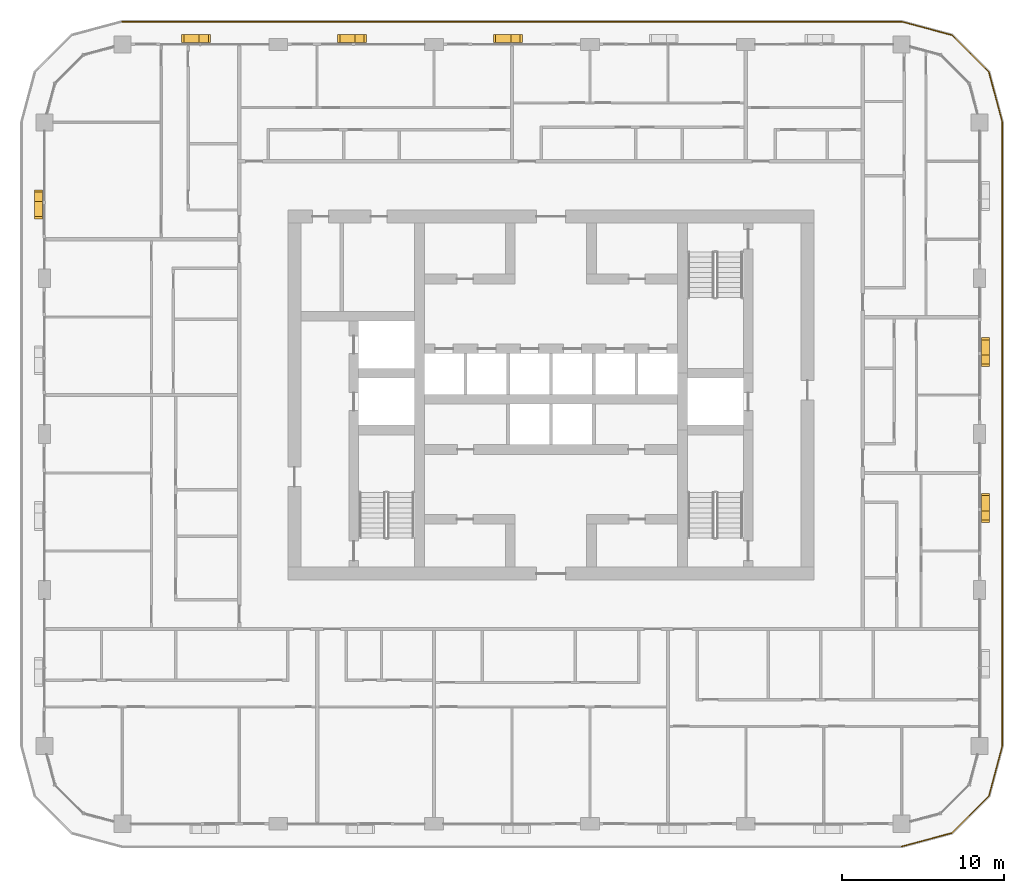
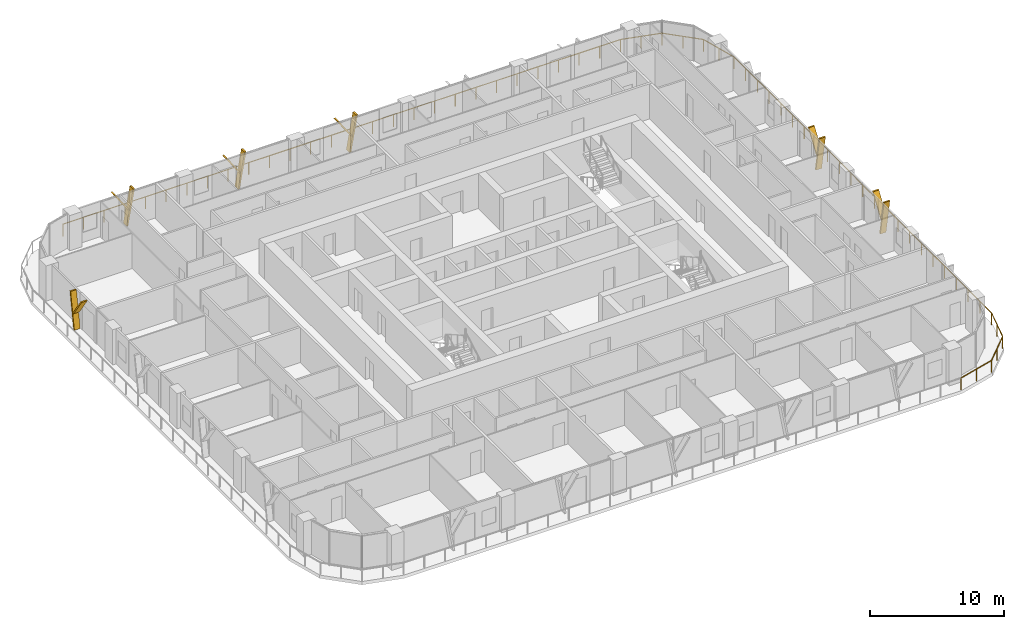
# One storey, part 21 of 22: 12 shading devices, 1 railing.
"""IFC4 building model written with IfcOpenShell, lengths in metres."""

from ifc_helpers import new_model, si_unit, direction, frame, origin, origin_2d, place, context, subcontext, project, spatial, polyline, circle, outline, extrude, material, type_object, element, save


model = new_model("IFC4")

# Units and contexts
model_context = context("Model", 3, precision=1e-05, world=origin(), true_north=direction((0.0, 1.0)))
body_context = subcontext(model_context, "Body", "Model", "MODEL_VIEW")
ifc_project = project(units=[si_unit("LENGTHUNIT", "METRE"), si_unit("AREAUNIT", "SQUARE_METRE"), si_unit("VOLUMEUNIT", "CUBIC_METRE"), si_unit("PLANEANGLEUNIT", "RADIAN"), si_unit("MASSUNIT", "GRAM", prefix="KILO")], contexts=[model_context])

# Site, building, storey
site_placement = place(None, origin())
site = spatial("IfcSite", under=ifc_project, at=site_placement, CompositionType="ELEMENT")
building_placement = place(site_placement, origin())
building = spatial("IfcBuilding", under=site, at=building_placement, Name="Madar Terraces", CompositionType="ELEMENT")
storey_placement = place(building_placement, frame((0.0, 0.0, 163.0)))
storey = spatial("IfcBuildingStorey", under=building, at=storey_placement, Name="L42", CompositionType="ELEMENT", Elevation=163.0)

# Railing
ifc_material_1 = material(Name="Glass, safety glazing, with stainless steel posts", Category="steel")
railing_type = type_object("IfcRailingType", Name="Balcony glass guard 1100", PredefinedType="GUARDRAIL", material=ifc_material_1)
railing_placement = place(storey_placement, frame((52.800048828125, -1.39990234375, 0.0)))
element("IfcRailing", 1, at=railing_placement, inside=storey, type_object=railing_type, Name="Balcony guard", PredefinedType="GUARDRAIL", context=body_context, shape_type="SweptSolid", body=[
    extrude(circle(Radius=0.02392578125, at=origin_2d()), frame((0.0, 0.0, 1.076171875), z_axis=(0.965928696102, 0.258808334578, 0.0), x_axis=(-0.258808334578, 0.965928696102, 0.0)), (0.0, 0.0, 1.0), 3.209228515625),
    extrude(circle(Radius=0.02392578125, at=origin_2d()), frame((3.099853515625, 0.83056640625, 1.076171875), z_axis=(0.707144815061, 0.707068745266, 0.0), x_axis=(-0.707068745266, 0.707144815061, 0.0)), (0.0, 0.0, 1.0), 3.20947265625),
    extrude(circle(Radius=0.02392578125, at=origin_2d()), frame((5.369384765625, 3.099853515625, 1.076171875), z_axis=(0.258789317819, 0.9659337912, 0.0), x_axis=(-0.9659337912, 0.258789317819, 0.0)), (0.0, 0.0, 1.0), 3.20947265625),
    extrude(circle(Radius=0.02392578125, at=origin_2d()), frame((6.199951171875, 6.199951171875, 1.076171875), z_axis=(0.0, 1.0, 0.0), x_axis=(-1.0, 0.0, 0.0)), (0.0, 0.0, 1.0), 38.39990234375),
    extrude(circle(Radius=0.02392578125, at=origin_2d()), frame((6.199951171875, 44.599853515625, 1.076171875), z_axis=(-0.258789317819, 0.9659337912, 0.0), x_axis=(-0.9659337912, -0.258789317819, 0.0)), (0.0, 0.0, 1.0), 3.20947265625),
    extrude(circle(Radius=0.02392578125, at=origin_2d()), frame((5.369384765625, 47.699951171875, 1.076171875), z_axis=(-0.707144815061, 0.707068745266, 0.0), x_axis=(-0.707068745266, -0.707144815061, 0.0)), (0.0, 0.0, 1.0), 3.20947265625),
    extrude(circle(Radius=0.02392578125, at=origin_2d()), frame((3.099853515625, 49.96923828125, 1.076171875), z_axis=(-0.965928696102, 0.258808334578, 0.0), x_axis=(-0.258808334578, -0.965928696102, 0.0)), (0.0, 0.0, 1.0), 3.209228515625),
    extrude(circle(Radius=0.02392578125, at=origin_2d()), frame((0.0, 50.7998046875, 1.076171875), z_axis=(-1.0, 0.0, 0.0), x_axis=(0.0, -1.0, 0.0)), (0.0, 0.0, 1.0), 48.0),
    extrude(circle(Radius=0.02099609375, at=origin_2d()), origin(), (0.0, 0.0, 1.0), 1.052001953125),
    extrude(circle(Radius=0.02099609375, at=origin_2d()), frame((1.5498046875, 0.415283203125, 0.0)), (0.0, 0.0, 1.0), 1.052001953125),
    extrude(circle(Radius=0.02099609375, at=origin_2d()), frame((3.099853515625, 0.83056640625, 0.0)), (0.0, 0.0, 1.0), 1.052001953125),
    extrude(circle(Radius=0.02099609375, at=origin_2d()), frame((4.234619140625, 1.96533203125, 0.0)), (0.0, 0.0, 1.0), 1.052001953125),
    extrude(circle(Radius=0.02099609375, at=origin_2d()), frame((5.369384765625, 3.099853515625, 0.0)), (0.0, 0.0, 1.0), 1.052001953125),
    extrude(circle(Radius=0.02099609375, at=origin_2d()), frame((5.78466796875, 4.64990234375, 0.0)), (0.0, 0.0, 1.0), 1.052001953125),
    extrude(circle(Radius=0.02099609375, at=origin_2d()), frame((6.199951171875, 6.199951171875, 0.0)), (0.0, 0.0, 1.0), 1.052001953125),
    extrude(circle(Radius=0.02099609375, at=origin_2d()), frame((6.199951171875, 7.9453125, 0.0)), (0.0, 0.0, 1.0), 1.052001953125),
    extrude(circle(Radius=0.02099609375, at=origin_2d()), frame((6.199951171875, 9.69091796875, 0.0)), (0.0, 0.0, 1.0), 1.052001953125),
    extrude(circle(Radius=0.02099609375, at=origin_2d()), frame((6.199951171875, 11.436279296875, 0.0)), (0.0, 0.0, 1.0), 1.052001953125),
    extrude(circle(Radius=0.02099609375, at=origin_2d()), frame((6.199951171875, 13.181640625, 0.0)), (0.0, 0.0, 1.0), 1.052001953125),
    extrude(circle(Radius=0.02099609375, at=origin_2d()), frame((6.199951171875, 14.92724609375, 0.0)), (0.0, 0.0, 1.0), 1.052001953125),
    extrude(circle(Radius=0.02099609375, at=origin_2d()), frame((6.199951171875, 16.672607421875, 0.0)), (0.0, 0.0, 1.0), 1.052001953125),
    extrude(circle(Radius=0.02099609375, at=origin_2d()), frame((6.199951171875, 18.418212890625, 0.0)), (0.0, 0.0, 1.0), 1.052001953125),
    extrude(circle(Radius=0.02099609375, at=origin_2d()), frame((6.199951171875, 20.16357421875, 0.0)), (0.0, 0.0, 1.0), 1.052001953125),
    extrude(circle(Radius=0.02099609375, at=origin_2d()), frame((6.199951171875, 21.908935546875, 0.0)), (0.0, 0.0, 1.0), 1.052001953125),
    extrude(circle(Radius=0.02099609375, at=origin_2d()), frame((6.199951171875, 23.654541015625, 0.0)), (0.0, 0.0, 1.0), 1.052001953125),
    extrude(circle(Radius=0.02099609375, at=origin_2d()), frame((6.199951171875, 25.39990234375, 0.0)), (0.0, 0.0, 1.0), 1.052001953125),
    extrude(circle(Radius=0.02099609375, at=origin_2d()), frame((6.199951171875, 27.145263671875, 0.0)), (0.0, 0.0, 1.0), 1.052001953125),
    extrude(circle(Radius=0.02099609375, at=origin_2d()), frame((6.199951171875, 28.890869140625, 0.0)), (0.0, 0.0, 1.0), 1.052001953125),
    extrude(circle(Radius=0.02099609375, at=origin_2d()), frame((6.199951171875, 30.63623046875, 0.0)), (0.0, 0.0, 1.0), 1.052001953125),
    extrude(circle(Radius=0.02099609375, at=origin_2d()), frame((6.199951171875, 32.381591796875, 0.0)), (0.0, 0.0, 1.0), 1.052001953125),
    extrude(circle(Radius=0.02099609375, at=origin_2d()), frame((6.199951171875, 34.127197265625, 0.0)), (0.0, 0.0, 1.0), 1.052001953125),
    extrude(circle(Radius=0.02099609375, at=origin_2d()), frame((6.199951171875, 35.87255859375, 0.0)), (0.0, 0.0, 1.0), 1.052001953125),
    extrude(circle(Radius=0.02099609375, at=origin_2d()), frame((6.199951171875, 37.6181640625, 0.0)), (0.0, 0.0, 1.0), 1.052001953125),
    extrude(circle(Radius=0.02099609375, at=origin_2d()), frame((6.199951171875, 39.363525390625, 0.0)), (0.0, 0.0, 1.0), 1.052001953125),
    extrude(circle(Radius=0.02099609375, at=origin_2d()), frame((6.199951171875, 41.10888671875, 0.0)), (0.0, 0.0, 1.0), 1.052001953125),
    extrude(circle(Radius=0.02099609375, at=origin_2d()), frame((6.199951171875, 42.8544921875, 0.0)), (0.0, 0.0, 1.0), 1.052001953125),
    extrude(circle(Radius=0.02099609375, at=origin_2d()), frame((6.199951171875, 44.599853515625, 0.0)), (0.0, 0.0, 1.0), 1.052001953125),
    extrude(circle(Radius=0.02099609375, at=origin_2d()), frame((5.78466796875, 46.14990234375, 0.0)), (0.0, 0.0, 1.0), 1.052001953125),
    extrude(circle(Radius=0.02099609375, at=origin_2d()), frame((5.369384765625, 47.699951171875, 0.0)), (0.0, 0.0, 1.0), 1.052001953125),
    extrude(circle(Radius=0.02099609375, at=origin_2d()), frame((4.234619140625, 48.83447265625, 0.0)), (0.0, 0.0, 1.0), 1.052001953125),
    extrude(circle(Radius=0.02099609375, at=origin_2d()), frame((3.099853515625, 49.96923828125, 0.0)), (0.0, 0.0, 1.0), 1.052001953125),
    extrude(circle(Radius=0.02099609375, at=origin_2d()), frame((1.5498046875, 50.384521484375, 0.0)), (0.0, 0.0, 1.0), 1.052001953125),
    extrude(circle(Radius=0.02099609375, at=origin_2d()), frame((0.0, 50.7998046875, 0.0)), (0.0, 0.0, 1.0), 1.052001953125),
    extrude(circle(Radius=0.02099609375, at=origin_2d()), frame((-1.77783203125, 50.7998046875, 0.0)), (0.0, 0.0, 1.0), 1.052001953125),
    extrude(circle(Radius=0.02099609375, at=origin_2d()), frame((-3.5556640625, 50.7998046875, 0.0)), (0.0, 0.0, 1.0), 1.052001953125),
    extrude(circle(Radius=0.02099609375, at=origin_2d()), frame((-5.333251953125, 50.7998046875, 0.0)), (0.0, 0.0, 1.0), 1.052001953125),
    extrude(circle(Radius=0.02099609375, at=origin_2d()), frame((-7.111083984375, 50.7998046875, 0.0)), (0.0, 0.0, 1.0), 1.052001953125),
    extrude(circle(Radius=0.02099609375, at=origin_2d()), frame((-8.888916015625, 50.7998046875, 0.0)), (0.0, 0.0, 1.0), 1.052001953125),
    extrude(circle(Radius=0.02099609375, at=origin_2d()), frame((-10.666748046875, 50.7998046875, 0.0)), (0.0, 0.0, 1.0), 1.052001953125),
    extrude(circle(Radius=0.02099609375, at=origin_2d()), frame((-12.4443359375, 50.7998046875, 0.0)), (0.0, 0.0, 1.0), 1.052001953125),
    extrude(circle(Radius=0.02099609375, at=origin_2d()), frame((-14.22216796875, 50.7998046875, 0.0)), (0.0, 0.0, 1.0), 1.052001953125),
    extrude(circle(Radius=0.02099609375, at=origin_2d()), frame((-16.0, 50.7998046875, 0.0)), (0.0, 0.0, 1.0), 1.052001953125),
    extrude(circle(Radius=0.02099609375, at=origin_2d()), frame((-17.77783203125, 50.7998046875, 0.0)), (0.0, 0.0, 1.0), 1.052001953125),
    extrude(circle(Radius=0.02099609375, at=origin_2d()), frame((-19.5556640625, 50.7998046875, 0.0)), (0.0, 0.0, 1.0), 1.052001953125),
    extrude(circle(Radius=0.02099609375, at=origin_2d()), frame((-21.333251953125, 50.7998046875, 0.0)), (0.0, 0.0, 1.0), 1.052001953125),
    extrude(circle(Radius=0.02099609375, at=origin_2d()), frame((-23.111083984375, 50.7998046875, 0.0)), (0.0, 0.0, 1.0), 1.052001953125),
    extrude(circle(Radius=0.02099609375, at=origin_2d()), frame((-24.888916015625, 50.7998046875, 0.0)), (0.0, 0.0, 1.0), 1.052001953125),
    extrude(circle(Radius=0.02099609375, at=origin_2d()), frame((-26.666748046875, 50.7998046875, 0.0)), (0.0, 0.0, 1.0), 1.052001953125),
    extrude(circle(Radius=0.02099609375, at=origin_2d()), frame((-28.4443359375, 50.7998046875, 0.0)), (0.0, 0.0, 1.0), 1.052001953125),
    extrude(circle(Radius=0.02099609375, at=origin_2d()), frame((-30.22216796875, 50.7998046875, 0.0)), (0.0, 0.0, 1.0), 1.052001953125),
    extrude(circle(Radius=0.02099609375, at=origin_2d()), frame((-32.0, 50.7998046875, 0.0)), (0.0, 0.0, 1.0), 1.052001953125),
    extrude(circle(Radius=0.02099609375, at=origin_2d()), frame((-33.77783203125, 50.7998046875, 0.0)), (0.0, 0.0, 1.0), 1.052001953125),
    extrude(circle(Radius=0.02099609375, at=origin_2d()), frame((-35.5556640625, 50.7998046875, 0.0)), (0.0, 0.0, 1.0), 1.052001953125),
    extrude(circle(Radius=0.02099609375, at=origin_2d()), frame((-37.333251953125, 50.7998046875, 0.0)), (0.0, 0.0, 1.0), 1.052001953125),
    extrude(circle(Radius=0.02099609375, at=origin_2d()), frame((-39.111083984375, 50.7998046875, 0.0)), (0.0, 0.0, 1.0), 1.052001953125),
    extrude(circle(Radius=0.02099609375, at=origin_2d()), frame((-40.888916015625, 50.7998046875, 0.0)), (0.0, 0.0, 1.0), 1.052001953125),
    extrude(circle(Radius=0.02099609375, at=origin_2d()), frame((-42.666748046875, 50.7998046875, 0.0)), (0.0, 0.0, 1.0), 1.052001953125),
    extrude(circle(Radius=0.02099609375, at=origin_2d()), frame((-44.4443359375, 50.7998046875, 0.0)), (0.0, 0.0, 1.0), 1.052001953125),
    extrude(circle(Radius=0.02099609375, at=origin_2d()), frame((-46.22216796875, 50.7998046875, 0.0)), (0.0, 0.0, 1.0), 1.052001953125),
    extrude(circle(Radius=0.02099609375, at=origin_2d()), frame((-48.0, 50.7998046875, 0.0)), (0.0, 0.0, 1.0), 1.052001953125),
])

# Shading devices
ifc_material_2 = material(Name="Aluminium, black anodised", Category="aluminium")
shading_device_type = type_object("IfcShadingDeviceType", Name="Facade fin blade 140 x 500", PredefinedType="USERDEFINED", material=ifc_material_2)
shading_device_1_placement = place(storey_placement, frame((57.949951171875, 19.1298828125, 0.0), z_axis=(0.0, 0.0, 1.0), x_axis=(0.0, 1.0, 0.0)))
element("IfcShadingDevice", 2, at=shading_device_1_placement, inside=storey, type_object=shading_device_type, Name="FIN L42 E2", ObjectType="FIN", PredefinedType="USERDEFINED", context=body_context, shape_type="SweptSolid", body=[
    extrude(outline(polyline([(0.0, 0.0), (0.14013671875, 0.0), (-0.42431640625, 3.199951171875), (-0.564208984375, 3.199951171875), (0.0, 0.0)])), frame((0.0, 0.25, 0.0), z_axis=(0.0, -1.0, 0.0), x_axis=(1.0, 0.0, 0.0)), (0.0, 0.0, 1.0), 0.5),
])
shading_device_2_placement = place(storey_placement, frame((57.949951171875, 19.01611328125, 1.43994140625), z_axis=(0.0, 0.0, 1.0), x_axis=(0.0, 1.0, 0.0)))
element("IfcShadingDevice", 3, at=shading_device_2_placement, inside=storey, type_object=shading_device_type, Name="FIN L42 E2 branch", ObjectType="FIN", PredefinedType="USERDEFINED", context=body_context, shape_type="SweptSolid", body=[
    extrude(outline(polyline([(0.0, 0.0), (0.139892578125, 0.0), (1.32958984375, 1.760009765625), (1.189697265625, 1.760009765625), (0.0, 0.0)])), frame((0.0, 0.25, 0.0), z_axis=(0.0, -1.0, 0.0), x_axis=(1.0, 0.0, 0.0)), (0.0, 0.0, 1.0), 0.5),
])
shading_device_3_placement = place(storey_placement, frame((57.949951171875, 28.72998046875, 0.0), z_axis=(0.0, 0.0, 1.0), x_axis=(0.0, 1.0, 0.0)))
element("IfcShadingDevice", 4, at=shading_device_3_placement, inside=storey, type_object=shading_device_type, Name="FIN L42 E3", ObjectType="FIN", PredefinedType="USERDEFINED", context=body_context, shape_type="SweptSolid", body=[
    extrude(outline(polyline([(0.0, 0.0), (0.14013671875, 0.0), (-0.42431640625, 3.199951171875), (-0.564208984375, 3.199951171875), (0.0, 0.0)])), frame((0.0, 0.25, 0.0), z_axis=(0.0, -1.0, 0.0), x_axis=(1.0, 0.0, 0.0)), (0.0, 0.0, 1.0), 0.5),
])
shading_device_4_placement = place(storey_placement, frame((57.949951171875, 28.6162109375, 1.43994140625), z_axis=(0.0, 0.0, 1.0), x_axis=(0.0, 1.0, 0.0)))
element("IfcShadingDevice", 5, at=shading_device_4_placement, inside=storey, type_object=shading_device_type, Name="FIN L42 E3 branch", ObjectType="FIN", PredefinedType="USERDEFINED", context=body_context, shape_type="SweptSolid", body=[
    extrude(outline(polyline([(0.0, 0.0), (0.139892578125, 0.0), (1.32958984375, 1.760009765625), (1.189697265625, 1.760009765625), (0.0, 0.0)])), frame((0.0, 0.25, 0.0), z_axis=(0.0, -1.0, 0.0), x_axis=(1.0, 0.0, 0.0)), (0.0, 0.0, 1.0), 0.5),
])
shading_device_5_placement = place(storey_placement, frame((28.8701171875, 48.35009765625, 0.0), z_axis=(0.0, 0.0, 1.0), x_axis=(-1.0, 0.0, 0.0)))
element("IfcShadingDevice", 6, at=shading_device_5_placement, inside=storey, type_object=shading_device_type, Name="FIN L42 N3", ObjectType="FIN", PredefinedType="USERDEFINED", context=body_context, shape_type="SweptSolid", body=[
    extrude(outline(polyline([(0.0, 0.0), (0.14013671875, 0.0), (-0.42431640625, 3.199951171875), (-0.564208984375, 3.199951171875), (0.0, 0.0)])), frame((0.0, 0.25, 0.0), z_axis=(0.0, -1.0, 0.0), x_axis=(1.0, 0.0, 0.0)), (0.0, 0.0, 1.0), 0.5),
])
shading_device_6_placement = place(storey_placement, frame((28.98388671875, 48.35009765625, 1.43994140625), z_axis=(0.0, 0.0, 1.0), x_axis=(-1.0, 0.0, 0.0)))
element("IfcShadingDevice", 7, at=shading_device_6_placement, inside=storey, type_object=shading_device_type, Name="FIN L42 N3 branch", ObjectType="FIN", PredefinedType="USERDEFINED", context=body_context, shape_type="SweptSolid", body=[
    extrude(outline(polyline([(0.0, 0.0), (0.139892578125, 0.0), (1.32958984375, 1.760009765625), (1.189697265625, 1.760009765625), (0.0, 0.0)])), frame((0.0, 0.25, 0.0), z_axis=(0.0, -1.0, 0.0), x_axis=(1.0, 0.0, 0.0)), (0.0, 0.0, 1.0), 0.5),
])
shading_device_7_placement = place(storey_placement, frame((19.27001953125, 48.35009765625, 0.0), z_axis=(0.0, 0.0, 1.0), x_axis=(-1.0, 0.0, 0.0)))
element("IfcShadingDevice", 8, at=shading_device_7_placement, inside=storey, type_object=shading_device_type, Name="FIN L42 N4", ObjectType="FIN", PredefinedType="USERDEFINED", context=body_context, shape_type="SweptSolid", body=[
    extrude(outline(polyline([(0.0, 0.0), (0.14013671875, 0.0), (-0.42431640625, 3.199951171875), (-0.564208984375, 3.199951171875), (0.0, 0.0)])), frame((0.0, 0.25, 0.0), z_axis=(0.0, -1.0, 0.0), x_axis=(1.0, 0.0, 0.0)), (0.0, 0.0, 1.0), 0.5),
])
shading_device_8_placement = place(storey_placement, frame((19.3837890625, 48.35009765625, 1.43994140625), z_axis=(0.0, 0.0, 1.0), x_axis=(-1.0, 0.0, 0.0)))
element("IfcShadingDevice", 9, at=shading_device_8_placement, inside=storey, type_object=shading_device_type, Name="FIN L42 N4 branch", ObjectType="FIN", PredefinedType="USERDEFINED", context=body_context, shape_type="SweptSolid", body=[
    extrude(outline(polyline([(0.0, 0.0), (0.139892578125, 0.0), (1.32958984375, 1.760009765625), (1.189697265625, 1.760009765625), (0.0, 0.0)])), frame((0.0, 0.25, 0.0), z_axis=(0.0, -1.0, 0.0), x_axis=(1.0, 0.0, 0.0)), (0.0, 0.0, 1.0), 0.5),
])
shading_device_9_placement = place(storey_placement, frame((9.669921875, 48.35009765625, 0.0), z_axis=(0.0, 0.0, 1.0), x_axis=(-1.0, 0.0, 0.0)))
element("IfcShadingDevice", 10, at=shading_device_9_placement, inside=storey, type_object=shading_device_type, Name="FIN L42 N5", ObjectType="FIN", PredefinedType="USERDEFINED", context=body_context, shape_type="SweptSolid", body=[
    extrude(outline(polyline([(0.0, 0.0), (0.139892578125, 0.0), (-0.42431640625, 3.199951171875), (-0.564208984375, 3.199951171875), (0.0, 0.0)])), frame((0.0, 0.25, 0.0), z_axis=(0.0, -1.0, 0.0), x_axis=(1.0, 0.0, 0.0)), (0.0, 0.0, 1.0), 0.5),
])
shading_device_10_placement = place(storey_placement, frame((9.783935546875, 48.35009765625, 1.43994140625), z_axis=(0.0, 0.0, 1.0), x_axis=(-1.0, 0.0, 0.0)))
element("IfcShadingDevice", 11, at=shading_device_10_placement, inside=storey, type_object=shading_device_type, Name="FIN L42 N5 branch", ObjectType="FIN", PredefinedType="USERDEFINED", context=body_context, shape_type="SweptSolid", body=[
    extrude(outline(polyline([(0.0, 0.0), (0.14013671875, 0.0), (1.32958984375, 1.760009765625), (1.189697265625, 1.760009765625), (0.0, 0.0)])), frame((0.0, 0.25, 0.0), z_axis=(0.0, -1.0, 0.0), x_axis=(1.0, 0.0, 0.0)), (0.0, 0.0, 1.0), 0.5),
])
shading_device_11_placement = place(storey_placement, frame((-0.35009765625, 38.469970703125, 0.0), z_axis=(0.0, 0.0, 1.0), x_axis=(0.0, -1.0, 0.0)))
element("IfcShadingDevice", 12, at=shading_device_11_placement, inside=storey, type_object=shading_device_type, Name="FIN L42 W1", ObjectType="FIN", PredefinedType="USERDEFINED", context=body_context, shape_type="SweptSolid", body=[
    extrude(outline(polyline([(0.0, 0.0), (0.139892578125, 0.0), (-0.42431640625, 3.199951171875), (-0.564208984375, 3.199951171875), (0.0, 0.0)])), frame((0.0, 0.25, 0.0), z_axis=(0.0, -1.0, 0.0), x_axis=(1.0, 0.0, 0.0)), (0.0, 0.0, 1.0), 0.5),
])
shading_device_12_placement = place(storey_placement, frame((-0.35009765625, 38.583984375, 1.43994140625), z_axis=(0.0, 0.0, 1.0), x_axis=(0.0, -1.0, 0.0)))
element("IfcShadingDevice", 13, at=shading_device_12_placement, inside=storey, type_object=shading_device_type, Name="FIN L42 W1 branch", ObjectType="FIN", PredefinedType="USERDEFINED", context=body_context, shape_type="SweptSolid", body=[
    extrude(outline(polyline([(0.0, 0.0), (0.14013671875, 0.0), (1.32958984375, 1.760009765625), (1.189697265625, 1.760009765625), (0.0, 0.0)])), frame((0.0, 0.25, 0.0), z_axis=(0.0, -1.0, 0.0), x_axis=(1.0, 0.0, 0.0)), (0.0, 0.0, 1.0), 0.5),
])

save(model, "model.ifc")
